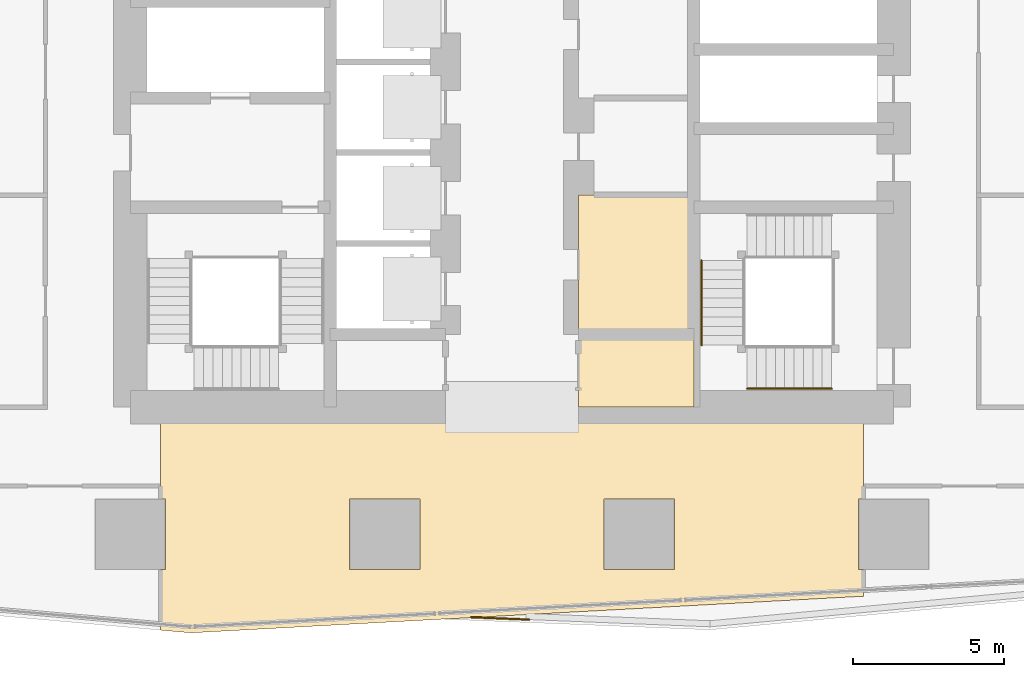
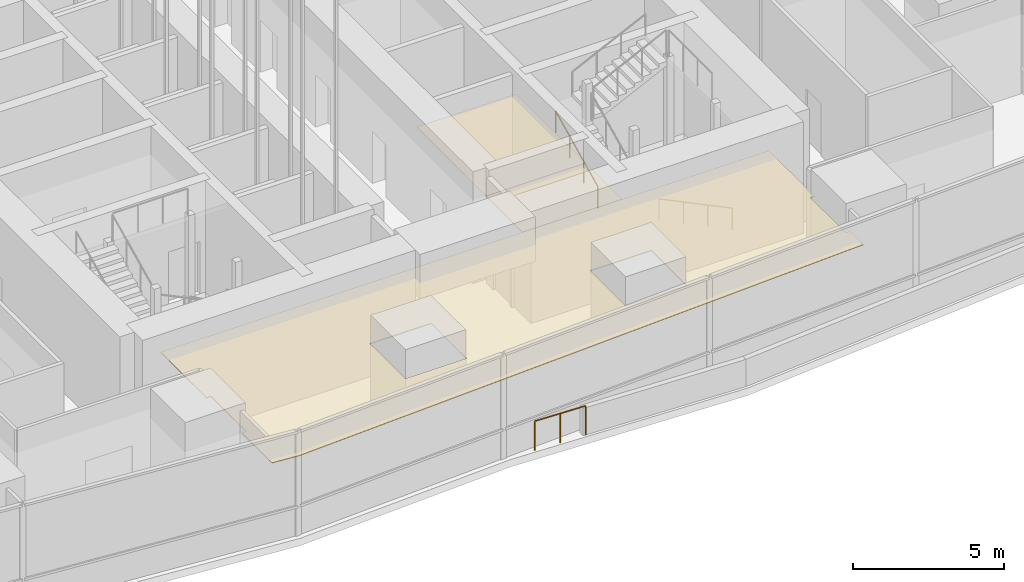
# One storey, part 23 of 39: 3 coverings, 3 railings.
"""IFC4 building model written with IfcOpenShell, lengths in metres."""

from ifc_helpers import new_model, si_unit, direction, frame, origin, origin_2d, place, context, subcontext, project, spatial, polyline, circle, outline, extrude, material, layer, layer_set, type_object, element, save


model = new_model("IFC4")

# Units and contexts
model_context = context("Model", 3, precision=1e-05, world=origin(), true_north=direction((0.0, 1.0)))
body_context = subcontext(model_context, "Body", "Model", "MODEL_VIEW")
ifc_project = project(units=[si_unit("LENGTHUNIT", "METRE"), si_unit("AREAUNIT", "SQUARE_METRE"), si_unit("VOLUMEUNIT", "CUBIC_METRE"), si_unit("PLANEANGLEUNIT", "RADIAN"), si_unit("MASSUNIT", "GRAM", prefix="KILO")], contexts=[model_context])

# Site, building, storey
site_placement = place(None, origin())
site = spatial("IfcSite", under=ifc_project, at=site_placement, CompositionType="ELEMENT")
building_placement = place(site_placement, origin())
building = spatial("IfcBuilding", under=site, at=building_placement, Name="Rekha Terrace Tower", CompositionType="ELEMENT")
storey_placement = place(building_placement, frame((0.0, 0.0, 245.60009765625)))
storey = spatial("IfcBuildingStorey", under=building, at=storey_placement, Name="L62", CompositionType="ELEMENT", Elevation=245.60009765625)

# Coverings
ifc_material_1 = material(Name="Fibre cement board", Category="finish")
ifc_layer_1 = layer(ifc_material_1, 0.014892578125)
ifc_layer_set_1 = layer_set([ifc_layer_1], Name="Fibre cement board")
covering_type_1 = type_object("IfcCoveringType", Name="CL2 moisture-resistant board ceiling", PredefinedType="CEILING", material=ifc_layer_set_1)
covering_1_placement = place(storey_placement, frame((0.0, 0.0, 3.3349609375)))
element("IfcCovering", 1, at=covering_1_placement, inside=storey, type_object=covering_type_1, Name="Ceiling L62-WCA", PredefinedType="CEILING", context=body_context, shape_type="SweptSolid", body=[
    extrude(outline(polyline([(43.800048828125, 23.39990234375), (40.0, 23.39990234375), (40.0, 21.0), (43.800048828125, 21.0), (43.800048828125, 23.39990234375)])), origin(), (0.0, 0.0, 1.0), 0.014892578125),
])
covering_2_placement = place(storey_placement, frame((0.0, 0.0, 3.3349609375)))
element("IfcCovering", 2, at=covering_2_placement, inside=storey, type_object=covering_type_1, Name="Ceiling L62-FSE1", PredefinedType="CEILING", context=body_context, shape_type="SweptSolid", body=[
    extrude(outline(polyline([(43.800048828125, 28.0), (40.0, 28.0), (40.0, 23.39990234375), (43.800048828125, 23.39990234375), (43.800048828125, 28.0)])), origin(), (0.0, 0.0, 1.0), 0.014892578125),
])
ifc_material_2 = material(Name="Powder-coated aluminium pan", Category="aluminium")
ifc_layer_2 = layer(ifc_material_2, 0.030029296875)
ifc_layer_set_2 = layer_set([ifc_layer_2], Name="Powder-coated aluminium pan")
covering_type_2 = type_object("IfcCoveringType", Name="CL3 300x1200 metal pan ceiling", PredefinedType="CEILING", material=ifc_layer_set_2)
covering_3_placement = place(storey_placement, frame((0.0, 0.0, 3.31982421875)))
element("IfcCovering", 3, at=covering_3_placement, inside=storey, type_object=covering_type_2, Name="Ceiling L62-02", PredefinedType="CEILING", context=body_context, shape_type="SweptSolid", body=[
    extrude(outline(polyline([(26.364990234375, 15.635009765625), (26.199951171875, 15.635009765625), (26.199951171875, 13.638916015625), (27.2041015625, 13.550048828125), (49.39990234375, 14.759033203125), (49.39990234375, 15.635009765625), (49.235107421875, 15.635009765625), (49.235107421875, 17.965087890625), (49.39990234375, 17.965087890625), (49.39990234375, 21.0), (26.199951171875, 21.0), (26.199951171875, 17.965087890625), (26.364990234375, 17.965087890625), (26.364990234375, 15.635009765625)]), holes=[polyline([(43.1650390625, 17.965087890625), (43.1650390625, 15.635009765625), (40.8349609375, 15.635009765625), (40.8349609375, 17.965087890625), (43.1650390625, 17.965087890625)]), polyline([(34.764892578125, 15.635009765625), (32.43505859375, 15.635009765625), (32.43505859375, 17.965087890625), (34.764892578125, 17.965087890625), (34.764892578125, 15.635009765625)])]), origin(), (0.0, 0.0, 1.0), 0.030029296875),
])

# Railings
ifc_material_3 = material(Name="Steel guard with vertical balusters", Category="steel")
railing_type_1 = type_object("IfcRailingType", Name="GR2 refuge area guard 1200", PredefinedType="GUARDRAIL", material=ifc_material_3)
railing_1_placement = place(storey_placement, frame((36.463623046875, 14.064453125, 0.0)))
element("IfcRailing", 4, at=railing_1_placement, inside=storey, type_object=railing_type_1, Name="Ledge corner guard", PredefinedType="GUARDRAIL", context=body_context, shape_type="SweptSolid", body=[
    extrude(circle(Radius=0.02392578125, at=origin_2d()), frame((0.0, 0.0, 1.17578125), z_axis=(0.999201779269, -0.039947519392, 0.0), x_axis=(0.039947519392, 0.999201779269, 0.0)), (0.0, 0.0, 1.0), 1.900634765625),
    extrude(circle(Radius=0.02099609375, at=origin_2d()), origin(), (0.0, 0.0, 1.0), 1.15185546875),
    extrude(circle(Radius=0.02099609375, at=origin_2d()), frame((0.94970703125, -0.0380859375, 0.0)), (0.0, 0.0, 1.0), 1.15185546875),
    extrude(circle(Radius=0.02099609375, at=origin_2d()), frame((1.899169921875, -0.075927734375, 0.0)), (0.0, 0.0, 1.0), 1.15185546875),
])
ifc_material_4 = material(Name="Stainless steel tube", Category="steel")
railing_type_2 = type_object("IfcRailingType", Name="HR1 900 stair handrail", PredefinedType="HANDRAIL", material=ifc_material_4)
railing_2_placement = place(storey_placement, frame((48.35009765625, 21.610107421875, 0.14990234375)))
element("IfcRailing", 5, at=railing_2_placement, inside=storey, type_object=railing_type_2, Name="Handrail ST3 L62 flight 1", PredefinedType="HANDRAIL", context=body_context, shape_type="SweptSolid", body=[
    extrude(circle(Radius=0.02392578125, at=origin_2d()), frame((0.0, 0.0, 0.8759765625), z_axis=(-0.90014928908, 0.0, 0.43558151633), x_axis=(0.0, -1.0, 0.0)), (0.0, 0.0, 1.0), 3.099609375),
    extrude(circle(Radius=0.02099609375, at=origin_2d()), origin(), (0.0, 0.0, 1.0), 0.851806640625),
    extrude(circle(Radius=0.02099609375, at=origin_2d()), frame((-0.929931640625, 0.0, 0.449951171875)), (0.0, 0.0, 1.0), 0.851806640625),
    extrude(circle(Radius=0.02099609375, at=origin_2d()), frame((-1.860107421875, 0.0, 0.900146484375)), (0.0, 0.0, 1.0), 0.851806640625),
    extrude(circle(Radius=0.02099609375, at=origin_2d()), frame((-2.7900390625, 0.0, 1.35009765625)), (0.0, 0.0, 1.0), 0.851806640625),
])
railing_3_placement = place(storey_placement, frame((44.06005859375, 23.050048828125, 1.64990234375)))
element("IfcRailing", 6, at=railing_3_placement, inside=storey, type_object=railing_type_2, Name="Handrail ST3 L62 flight 2", PredefinedType="HANDRAIL", context=body_context, shape_type="SweptSolid", body=[
    extrude(circle(Radius=0.02392578125, at=origin_2d()), frame((0.0, 0.0, 0.8759765625), z_axis=(0.0, 0.90014928908, 0.43558151633), x_axis=(-1.0, 0.0, 0.0)), (0.0, 0.0, 1.0), 3.099609375),
    extrude(circle(Radius=0.02099609375, at=origin_2d()), origin(), (0.0, 0.0, 1.0), 0.851806640625),
    extrude(circle(Radius=0.02099609375, at=origin_2d()), frame((0.0, 0.929931640625, 0.449951171875)), (0.0, 0.0, 1.0), 0.851806640625),
    extrude(circle(Radius=0.02099609375, at=origin_2d()), frame((0.0, 1.860107421875, 0.900146484375)), (0.0, 0.0, 1.0), 0.851806640625),
    extrude(circle(Radius=0.02099609375, at=origin_2d()), frame((0.0, 2.7900390625, 1.35009765625)), (0.0, 0.0, 1.0), 0.851806640625),
])

save(model, "model.ifc")
